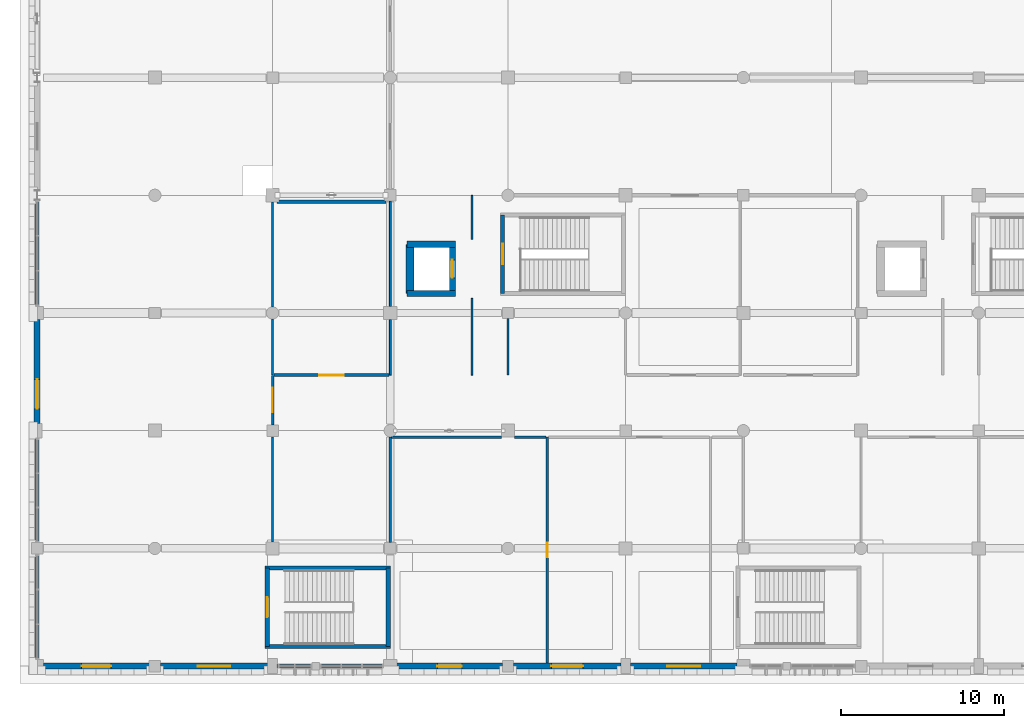
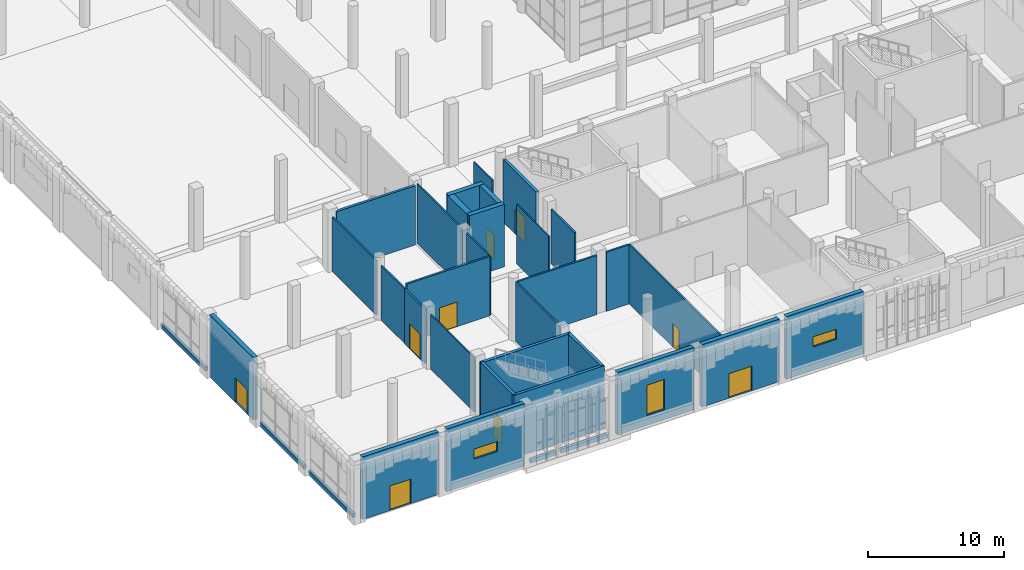
# One storey, part 54 of 85: 35 walls, 9 doors, 3 windows, 12 openings.
"""IFC4 building model written with IfcOpenShell, lengths in metres."""

from ifc_helpers import new_model, si_unit, direction, frame, frame_2d, origin, place, context, subcontext, project, spatial, rectangle, extrude, material, layer, layer_set, type_object, element, fill, save


model = new_model("IFC4")

# Units and contexts
model_context = context("Model", 3, precision=1e-05, world=origin(), true_north=direction((0.0, 1.0)))
body_context = subcontext(model_context, "Body", "Model", "MODEL_VIEW")
ifc_project = project(units=[si_unit("LENGTHUNIT", "METRE"), si_unit("AREAUNIT", "SQUARE_METRE"), si_unit("VOLUMEUNIT", "CUBIC_METRE"), si_unit("PLANEANGLEUNIT", "RADIAN"), si_unit("MASSUNIT", "GRAM", prefix="KILO")], contexts=[model_context])

# Site, building, storey
site_placement = place(None, origin())
site = spatial("IfcSite", under=ifc_project, at=site_placement, CompositionType="ELEMENT")
building_placement = place(site_placement, origin())
building = spatial("IfcBuilding", under=site, at=building_placement, Name="Sardonyx Promenade Sports Hall", CompositionType="ELEMENT")
storey_placement = place(building_placement, origin())
storey = spatial("IfcBuildingStorey", under=building, at=storey_placement, Name="L00", CompositionType="ELEMENT", Elevation=0.0)

# Wall, opening, door
ifc_material_1 = material(Name="Concrete C40/50", Category="concrete")
ifc_layer_1 = layer(ifc_material_1, 0.3798828125)
ifc_layer_set_1 = layer_set([ifc_layer_1], Name="Wall_Core_Shear_380")
wall_type_1 = type_object("IfcWallType", Name="Wall_Core_Shear_380", PredefinedType="SHEAR", material=ifc_layer_set_1)
wall_1_placement = place(storey_placement, frame((25.39990234375, 22.800048828125, 0.0), z_axis=(0.0, 0.0, 1.0), x_axis=(0.0, 1.0, 0.0)))
wall_1 = element("IfcWall", 1, at=wall_1_placement, inside=storey, type_object=wall_type_1, Name="Lift shaft wall LF1 L00 E", PredefinedType="SHEAR", context=body_context, shape_type="SweptSolid", body=[
    extrude(rectangle(XDim=3.0, YDim=0.3798828125, at=frame_2d((1.5, 0.0))), origin(), (0.0, 0.0, 1.0), 5.60009765625),
])
opening_1_placement = place(wall_1_placement, frame((0.949951171875, 0.0, 0.0)))
opening_1 = element("IfcOpeningElement", 2, at=opening_1_placement, cuts=wall_1, Name="Opening LD01", PredefinedType="OPENING", context=body_context, shape_type="SweptSolid", body=[
    extrude(rectangle(XDim=1.10009765625, YDim=2.199951171875, at=frame_2d((0.550048828125, 1.10009765625))), frame((0.0, 0.2, 0.0), z_axis=(0.0, -1.0, 0.0), x_axis=(1.0, 0.0, 0.0)), (0.0, 0.0, 1.0), 0.4),
])
ifc_material_2 = material(Name="Fire-rated stainless steel sliding lift door", Category="steel")
door_type_1 = type_object("IfcDoorType", Name="Door_Lift_Pass_110x220", OperationType="NOTDEFINED", PredefinedType="DOOR", material=ifc_material_2)
door_1_placement = place(opening_1_placement, origin())
door_1 = element("IfcDoor", 3, at=door_1_placement, inside=storey, type_object=door_type_1, Name="Lift landing sliding door LD-LF1-L00", OperationType="SLIDING_TO_LEFT", OverallHeight=2.199951171875, OverallWidth=1.10009765625, PredefinedType="DOOR", context=body_context, shape_type="SweptSolid", body=[
    extrude(rectangle(XDim=1.10009765625, YDim=2.199951171875, at=frame_2d((0.550048828125, 1.10009765625))), frame((0.0, 0.02490234375, 0.0), z_axis=(0.0, -1.0, 0.0), x_axis=(1.0, 0.0, 0.0)), (0.0, 0.0, 1.0), 0.050048828125),
])
fill(opening_1, door_1)

# Walls
for number, where, z_axis, x_axis, name in (
    (4, (22.610107421875, 25.800048828125, 0.0), (0.0, 0.0, 1.0), (1.0, 0.0, 0.0), "Lift shaft wall LF1 L00 N"),
    (5, (25.590087890625, 22.800048828125, 0.0), (0.0, 0.0, 1.0), (-1.0, 0.0, 0.0), "Lift shaft wall LF1 L00 S"),
):
    element("IfcWall", number, at=place(storey_placement, frame(where, z_axis=z_axis, x_axis=x_axis)), inside=storey, type_object=wall_type_1, Name=name, PredefinedType="SHEAR", context=body_context, shape_type="SweptSolid", body=[
        extrude(rectangle(XDim=2.97998046875, YDim=0.3798828125, at=frame_2d((1.489990234375, 0.0))), origin(), (0.0, 0.0, 1.0), 5.60009765625),
    ])
ifc_material_3 = material(Name="Concrete C50/60", Category="concrete")
ifc_layer_2 = layer(ifc_material_3, 0.5)
ifc_layer_set_2 = layer_set([ifc_layer_2], Name="Wall_Core_Shear_500")
wall_type_2 = type_object("IfcWallType", Name="Wall_Core_Shear_500", PredefinedType="SHEAR", material=ifc_layer_set_2)
wall_2_placement = place(storey_placement, frame((22.800048828125, 25.800048828125, 0.0), z_axis=(0.0, 0.0, 1.0), x_axis=(0.0, -1.0, 0.0)))
element("IfcWall", 6, at=wall_2_placement, inside=storey, type_object=wall_type_2, Name="Lift shaft wall LF1 L00 W", PredefinedType="SHEAR", context=body_context, shape_type="SweptSolid", body=[
    extrude(rectangle(XDim=3.0, YDim=0.5, at=frame_2d((1.5, 0.0))), origin(), (0.0, 0.0, 1.0), 5.60009765625),
])

# Wall, opening, window
ifc_material_4 = material(Name="Concrete C40/50", Category="concrete")
ifc_layer_3 = layer(ifc_material_4, 0.360107421875)
ifc_layer_set_3 = layer_set([ifc_layer_3], Name="Wall_Ext_Sandstone_360")
wall_type_3 = type_object("IfcWallType", Name="Wall_Ext_Sandstone_360", PredefinedType="SOLIDWALL", material=ifc_layer_set_3)
wall_3_placement = place(storey_placement, frame((42.81494140625, 0.0, 0.0), z_axis=(0.0, 0.0, 1.0), x_axis=(-1.0, 0.0, 0.0)))
wall_3 = element("IfcWall", 7, at=wall_3_placement, inside=storey, type_object=wall_type_3, Name="Exterior wall EW06 L00 #24", PredefinedType="SOLIDWALL", context=body_context, shape_type="SweptSolid", body=[
    extrude(rectangle(XDim=6.530029296875, YDim=0.360107421875, at=frame_2d((3.26513671875, 0.0))), origin(), (0.0, 0.0, 1.0), 5.60009765625),
])
opening_2_placement = place(wall_3_placement, frame((2.264892578125, 0.0, 2.10009765625)))
opening_2 = element("IfcOpeningElement", 8, at=opening_2_placement, cuts=wall_3, Name="Opening W06", PredefinedType="OPENING", context=body_context, shape_type="SweptSolid", body=[
    extrude(rectangle(XDim=2.0, YDim=0.89990234375, at=frame_2d((1.0, 0.449951171875))), frame((0.0, 0.19, 0.0), z_axis=(0.0, -1.0, 0.0), x_axis=(1.0, 0.0, 0.0)), (0.0, 0.0, 1.0), 0.38),
])
ifc_material_5 = material(Name="Double-glazed solar low-E aluminium window", Category="aluminium")
window_type_1 = type_object("IfcWindowType", Name="Win_Changing_Hi_200x090", PartitioningType="DOUBLE_PANEL_VERTICAL", PredefinedType="WINDOW", material=ifc_material_5)
window_1_placement = place(opening_2_placement, origin())
window_1 = element("IfcWindow", 9, at=window_1_placement, inside=storey, type_object=window_type_1, Name="Facade window W06 L00 #6", OverallHeight=0.89990234375, OverallWidth=2.0, PartitioningType="SINGLE_PANEL", PredefinedType="WINDOW", context=body_context, shape_type="SweptSolid", body=[
    extrude(rectangle(XDim=2.0, YDim=0.89990234375, at=frame_2d((1.0, 0.449951171875))), frame((0.0, 0.030029296875, 0.0), z_axis=(0.0, -1.0, 0.0), x_axis=(1.0, 0.0, 0.0)), (0.0, 0.0, 1.0), 0.06005859375),
])
fill(opening_2, window_1)

# Wall, opening, door
wall_4_placement = place(storey_placement, frame((35.715087890625, 0.0, 0.0), z_axis=(0.0, 0.0, 1.0), x_axis=(-1.0, 0.0, 0.0)))
wall_4 = element("IfcWall", 10, at=wall_4_placement, inside=storey, type_object=wall_type_3, Name="Exterior wall EW06 L00 #25", PredefinedType="SOLIDWALL", context=body_context, shape_type="SweptSolid", body=[
    extrude(rectangle(XDim=6.580078125, YDim=0.360107421875, at=frame_2d((3.2900390625, 0.0))), origin(), (0.0, 0.0, 1.0), 5.60009765625),
])
opening_3_placement = place(wall_4_placement, frame((2.31494140625, 0.0, 0.0)))
opening_3 = element("IfcOpeningElement", 11, at=opening_3_placement, cuts=wall_4, Name="Opening ED03", PredefinedType="OPENING", context=body_context, shape_type="SweptSolid", body=[
    extrude(rectangle(XDim=1.949951171875, YDim=2.199951171875, at=frame_2d((0.97509765625, 1.10009765625))), frame((0.0, 0.19, 0.0), z_axis=(0.0, -1.0, 0.0), x_axis=(1.0, 0.0, 0.0)), (0.0, 0.0, 1.0), 0.38),
])
ifc_material_6 = material(Name="Thermally broken anodised aluminium glazed door", Category="aluminium")
door_type_2 = type_object("IfcDoorType", Name="Door_Ext_Escape_195x220", OperationType="NOTDEFINED", PredefinedType="DOOR", material=ifc_material_6)
door_2_placement = place(opening_3_placement, origin())
door_2 = element("IfcDoor", 12, at=door_2_placement, inside=storey, type_object=door_type_2, Name="Exterior exit door E07", OperationType="DOUBLE_DOOR_SINGLE_SWING", OverallHeight=2.199951171875, OverallWidth=1.949951171875, PredefinedType="DOOR", context=body_context, shape_type="SweptSolid", body=[
    extrude(rectangle(XDim=1.949951171875, YDim=2.199951171875, at=frame_2d((0.97509765625, 1.10009765625))), frame((0.0, 0.02490234375, 0.0), z_axis=(0.0, -1.0, 0.0), x_axis=(1.0, 0.0, 0.0)), (0.0, 0.0, 1.0), 0.050048828125),
])
fill(opening_3, door_2)

# Wall, opening, window
wall_5_placement = place(storey_placement, frame((28.465087890625, 0.0, 0.0), z_axis=(0.0, 0.0, 1.0), x_axis=(-1.0, 0.0, 0.0)))
wall_5 = element("IfcWall", 13, at=wall_5_placement, inside=storey, type_object=wall_type_3, Name="Exterior wall EW06 L00 #26", PredefinedType="SOLIDWALL", context=body_context, shape_type="SweptSolid", body=[
    extrude(rectangle(XDim=6.47998046875, YDim=0.360107421875, at=frame_2d((3.239990234375, 0.0))), origin(), (0.0, 0.0, 1.0), 5.60009765625),
])
opening_4_placement = place(wall_5_placement, frame((2.489990234375, 0.0, 0.89990234375)))
opening_4 = element("IfcOpeningElement", 14, at=opening_4_placement, cuts=wall_5, Name="Opening W07", PredefinedType="OPENING", context=body_context, shape_type="SweptSolid", body=[
    extrude(rectangle(XDim=1.5, YDim=2.699951171875, at=frame_2d((0.75, 1.35009765625))), frame((0.0, 0.19, 0.0), z_axis=(0.0, -1.0, 0.0), x_axis=(1.0, 0.0, 0.0)), (0.0, 0.0, 1.0), 0.38),
])
ifc_material_7 = material(Name="Double-glazed solar low-E aluminium window", Category="aluminium")
window_type_2 = type_object("IfcWindowType", Name="Win_Sandstone_TallA", PartitioningType="SINGLE_PANEL", PredefinedType="WINDOW", material=ifc_material_7)
window_2_placement = place(opening_4_placement, origin())
window_2 = element("IfcWindow", 15, at=window_2_placement, inside=storey, type_object=window_type_2, Name="Facade window W07 L00 #7", OverallHeight=2.699951171875, OverallWidth=1.5, PartitioningType="SINGLE_PANEL", PredefinedType="WINDOW", context=body_context, shape_type="SweptSolid", body=[
    extrude(rectangle(XDim=1.5, YDim=2.699951171875, at=frame_2d((0.75, 1.35009765625))), frame((0.0, 0.030029296875, 0.0), z_axis=(0.0, -1.0, 0.0), x_axis=(1.0, 0.0, 0.0)), (0.0, 0.0, 1.0), 0.06005859375),
])
fill(opening_4, window_2)

wall_6_placement = place(storey_placement, frame((14.114990234375, 0.0, 0.0), z_axis=(0.0, 0.0, 1.0), x_axis=(-1.0, 0.0, 0.0)))
wall_6 = element("IfcWall", 16, at=wall_6_placement, inside=storey, type_object=wall_type_3, Name="Exterior wall EW06 L00 #29", PredefinedType="SOLIDWALL", context=body_context, shape_type="SweptSolid", body=[
    extrude(rectangle(XDim=6.580078125, YDim=0.360107421875, at=frame_2d((3.2900390625, 0.0))), origin(), (0.0, 0.0, 1.0), 5.60009765625),
])
opening_5_placement = place(wall_6_placement, frame((2.2900390625, 0.0, 2.10009765625)))
opening_5 = element("IfcOpeningElement", 17, at=opening_5_placement, cuts=wall_6, Name="Opening W06", PredefinedType="OPENING", context=body_context, shape_type="SweptSolid", body=[
    extrude(rectangle(XDim=2.0, YDim=0.89990234375, at=frame_2d((1.0, 0.449951171875))), frame((0.0, 0.19, 0.0), z_axis=(0.0, -1.0, 0.0), x_axis=(1.0, 0.0, 0.0)), (0.0, 0.0, 1.0), 0.38),
])
window_3_placement = place(opening_5_placement, origin())
window_3 = element("IfcWindow", 18, at=window_3_placement, inside=storey, type_object=window_type_1, Name="Facade window W06 L00 #8", OverallHeight=0.89990234375, OverallWidth=2.0, PartitioningType="SINGLE_PANEL", PredefinedType="WINDOW", context=body_context, shape_type="SweptSolid", body=[
    extrude(rectangle(XDim=2.0, YDim=0.89990234375, at=frame_2d((1.0, 0.449951171875))), frame((0.0, 0.030029296875, 0.0), z_axis=(0.0, -1.0, 0.0), x_axis=(1.0, 0.0, 0.0)), (0.0, 0.0, 1.0), 0.06005859375),
])
fill(opening_5, window_3)

# Wall, opening, door
wall_7_placement = place(storey_placement, frame((6.864990234375, 0.0, 0.0), z_axis=(0.0, 0.0, 1.0), x_axis=(-1.0, 0.0, 0.0)))
wall_7 = element("IfcWall", 19, at=wall_7_placement, inside=storey, type_object=wall_type_3, Name="Exterior wall EW06 L00 #30", PredefinedType="SOLIDWALL", context=body_context, shape_type="SweptSolid", body=[
    extrude(rectangle(XDim=6.47998046875, YDim=0.360107421875, at=frame_2d((3.239990234375, 0.0))), origin(), (0.0, 0.0, 1.0), 5.60009765625),
])
opening_6_placement = place(wall_7_placement, frame((2.340087890625, 0.0, 0.0)))
opening_6 = element("IfcOpeningElement", 20, at=opening_6_placement, cuts=wall_7, Name="Opening ED04", PredefinedType="OPENING", context=body_context, shape_type="SweptSolid", body=[
    extrude(rectangle(XDim=1.800048828125, YDim=2.199951171875, at=frame_2d((0.89990234375, 1.10009765625))), frame((0.0, 0.19, 0.0), z_axis=(0.0, -1.0, 0.0), x_axis=(1.0, 0.0, 0.0)), (0.0, 0.0, 1.0), 0.38),
])
ifc_material_8 = material(Name="Thermally broken anodised aluminium glazed door", Category="aluminium")
door_type_3 = type_object("IfcDoorType", Name="Door_Ext_Escape_180x220", OperationType="NOTDEFINED", PredefinedType="DOOR", material=ifc_material_8)
door_3_placement = place(opening_6_placement, origin())
door_3 = element("IfcDoor", 21, at=door_3_placement, inside=storey, type_object=door_type_3, Name="Exterior exit door E08", OperationType="DOUBLE_DOOR_SINGLE_SWING", OverallHeight=2.199951171875, OverallWidth=1.800048828125, PredefinedType="DOOR", context=body_context, shape_type="SweptSolid", body=[
    extrude(rectangle(XDim=1.800048828125, YDim=2.199951171875, at=frame_2d((0.89990234375, 1.10009765625))), frame((0.0, 0.02490234375, 0.0), z_axis=(0.0, -1.0, 0.0), x_axis=(1.0, 0.0, 0.0)), (0.0, 0.0, 1.0), 0.050048828125),
])
fill(opening_6, door_3)

wall_8_placement = place(storey_placement, frame((0.0, 14.8349609375, 0.0), z_axis=(0.0, 0.0, 1.0), x_axis=(0.0, 1.0, 0.0)))
wall_8 = element("IfcWall", 22, at=wall_8_placement, inside=storey, type_object=wall_type_3, Name="Exterior wall EW06 L00 #130", PredefinedType="SOLIDWALL", context=body_context, shape_type="SweptSolid", body=[
    extrude(rectangle(XDim=6.380126953125, YDim=0.360107421875, at=frame_2d((3.18994140625, 0.0))), origin(), (0.0, 0.0, 1.0), 5.60009765625),
])
opening_7_placement = place(wall_8_placement, frame((0.89990234375, 0.0, 0.0)))
opening_7 = element("IfcOpeningElement", 23, at=opening_7_placement, cuts=wall_8, Name="Opening ED04", PredefinedType="OPENING", context=body_context, shape_type="SweptSolid", body=[
    extrude(rectangle(XDim=1.800048828125, YDim=2.199951171875, at=frame_2d((0.89990234375, 1.10009765625))), frame((0.0, 0.19, 0.0), z_axis=(0.0, -1.0, 0.0), x_axis=(1.0, 0.0, 0.0)), (0.0, 0.0, 1.0), 0.38),
])
door_4_placement = place(opening_7_placement, origin())
door_4 = element("IfcDoor", 24, at=door_4_placement, inside=storey, type_object=door_type_3, Name="Exterior exit door E11", OperationType="DOUBLE_DOOR_SINGLE_SWING", OverallHeight=2.199951171875, OverallWidth=1.800048828125, PredefinedType="DOOR", context=body_context, shape_type="SweptSolid", body=[
    extrude(rectangle(XDim=1.800048828125, YDim=2.199951171875, at=frame_2d((0.89990234375, 1.10009765625))), frame((0.0, 0.02490234375, 0.0), z_axis=(0.0, -1.0, 0.0), x_axis=(1.0, 0.0, 0.0)), (0.0, 0.0, 1.0), 0.050048828125),
])
fill(opening_7, door_4)

# Walls
ifc_material_9 = material(Name="Masonry CMU 15 MPa", Category="masonry")
ifc_layer_4 = layer(ifc_material_9, 0.239990234375)
ifc_layer_set_4 = layer_set([ifc_layer_4], Name="Wall_Ext_Spandrel_240")
wall_type_4 = type_object("IfcWallType", Name="Wall_Ext_Spandrel_240", PredefinedType="SOLIDWALL", material=ifc_layer_set_4)
wall_9_placement = place(storey_placement, frame((21.215087890625, 0.0, 0.0), z_axis=(0.0, 0.0, 1.0), x_axis=(-1.0, 0.0, 0.0)))
element("IfcWall", 25, at=wall_9_placement, inside=storey, type_object=wall_type_4, Name="Curtain-wall sill spandrel L00 #27", PredefinedType="SOLIDWALL", context=body_context, shape_type="SweptSolid", body=[
    extrude(rectangle(XDim=3.955078125, YDim=0.239990234375, at=frame_2d((1.9775390625, 0.0))), origin(), (0.0, 0.0, 1.0), 0.35009765625),
])
wall_10_placement = place(storey_placement, frame((16.840087890625, 0.0, 0.0), z_axis=(0.0, 0.0, 1.0), x_axis=(-1.0, 0.0, 0.0)))
element("IfcWall", 26, at=wall_10_placement, inside=storey, type_object=wall_type_4, Name="Curtain-wall sill spandrel L00 #28", PredefinedType="SOLIDWALL", context=body_context, shape_type="SweptSolid", body=[
    extrude(rectangle(XDim=2.155029296875, YDim=0.239990234375, at=frame_2d((1.07763671875, 0.0))), origin(), (0.0, 0.0, 1.0), 0.35009765625),
])
wall_11_placement = place(storey_placement, frame((0.0, 0.385009765625, 0.0), z_axis=(0.0, 0.0, 1.0), x_axis=(0.0, 1.0, 0.0)))
element("IfcWall", 27, at=wall_11_placement, inside=storey, type_object=wall_type_4, Name="Curtain-wall sill spandrel L00 #128", PredefinedType="SOLIDWALL", context=body_context, shape_type="SweptSolid", body=[
    extrude(rectangle(XDim=6.47998046875, YDim=0.239990234375, at=frame_2d((3.239990234375, 0.0))), origin(), (0.0, 0.0, 1.0), 0.35009765625),
])
wall_12_placement = place(storey_placement, frame((0.0, 7.534912109375, 0.0), z_axis=(0.0, 0.0, 1.0), x_axis=(0.0, 1.0, 0.0)))
element("IfcWall", 28, at=wall_12_placement, inside=storey, type_object=wall_type_4, Name="Curtain-wall sill spandrel L00 #129", PredefinedType="SOLIDWALL", context=body_context, shape_type="SweptSolid", body=[
    extrude(rectangle(XDim=6.43017578125, YDim=0.239990234375, at=frame_2d((3.215087890625, 0.0))), origin(), (0.0, 0.0, 1.0), 0.35009765625),
])
wall_13_placement = place(storey_placement, frame((0.0, 21.985107421875, 0.0), z_axis=(0.0, 0.0, 1.0), x_axis=(0.0, 1.0, 0.0)))
element("IfcWall", 29, at=wall_13_placement, inside=storey, type_object=wall_type_4, Name="Curtain-wall sill spandrel L00 #131", PredefinedType="SOLIDWALL", context=body_context, shape_type="SweptSolid", body=[
    extrude(rectangle(XDim=6.534912109375, YDim=0.239990234375, at=frame_2d((3.267578125, 0.0))), origin(), (0.0, 0.0, 1.0), 0.35009765625),
])

# Wall, opening, door
ifc_material_10 = material(Name="Twin-stud acoustic gypsum partition", Category="gypsum")
ifc_layer_5 = layer(ifc_material_10, 0.169921875)
ifc_layer_set_5 = layer_set([ifc_layer_5], Name="Wall_Part_Acoust_170")
wall_type_5 = type_object("IfcWallType", Name="Wall_Part_Acoust_170", PredefinedType="PARTITIONING", material=ifc_layer_set_5)
wall_14_placement = place(storey_placement, frame((14.485107421875, 17.800048828125, 0.0), z_axis=(0.0, 0.0, 1.0), x_axis=(1.0, 0.0, 0.0)))
wall_14 = element("IfcWall", 30, at=wall_14_placement, inside=storey, type_object=wall_type_5, Name="Interior partition PW06 L00 #139", PredefinedType="PARTITIONING", context=body_context, shape_type="SweptSolid", body=[
    extrude(rectangle(XDim=7.044921875, YDim=0.169921875, at=frame_2d((3.5224609375, 0.0))), origin(), (0.0, 0.0, 1.0), 5.300048828125),
])
opening_8_placement = place(wall_14_placement, frame((2.7724609375, 0.0, 0.0)))
opening_8 = element("IfcOpeningElement", 31, at=opening_8_placement, cuts=wall_14, Name="Opening ID10", PredefinedType="OPENING", context=body_context, shape_type="SweptSolid", body=[
    extrude(rectangle(XDim=1.5, YDim=2.199951171875, at=frame_2d((0.75, 1.10009765625))), frame((0.0, 0.095, 0.0), z_axis=(0.0, -1.0, 0.0), x_axis=(1.0, 0.0, 0.0)), (0.0, 0.0, 1.0), 0.19),
])
ifc_material_11 = material(Name="Double studio entrance fire door FD30S", Category="wood")
door_type_4 = type_object("IfcDoorType", Name="Door_Corr_FD30_150x220", OperationType="NOTDEFINED", PredefinedType="DOOR", material=ifc_material_11)
door_5_placement = place(opening_8_placement, origin())
door_5 = element("IfcDoor", 32, at=door_5_placement, inside=storey, type_object=door_type_4, Name="Interior door D00-038", OperationType="DOUBLE_DOOR_SINGLE_SWING", OverallHeight=2.199951171875, OverallWidth=1.5, PredefinedType="DOOR", context=body_context, shape_type="SweptSolid", body=[
    extrude(rectangle(XDim=1.5, YDim=2.199951171875, at=frame_2d((0.75, 1.10009765625))), frame((0.0, 0.02490234375, 0.0), z_axis=(0.0, -1.0, 0.0), x_axis=(1.0, 0.0, 0.0)), (0.0, 0.0, 1.0), 0.050048828125),
])
fill(opening_8, door_5)

# Walls
ifc_material_12 = material(Name="Masonry CMU 15 MPa", Category="masonry")
ifc_layer_6 = layer(ifc_material_12, 0.2099609375)
ifc_layer_set_6 = layer_set([ifc_layer_6], Name="Wall_Part_Block_210")
wall_type_6 = type_object("IfcWallType", Name="Wall_Part_Block_210", PredefinedType="PARTITIONING", material=ifc_layer_set_6)
wall_15_placement = place(storey_placement, frame((14.659912109375, 28.39990234375, 0.0), z_axis=(0.0, 0.0, 1.0), x_axis=(1.0, 0.0, 0.0)))
element("IfcWall", 33, at=wall_15_placement, inside=storey, type_object=wall_type_6, Name="Interior partition PW07 L00 #110", PredefinedType="PARTITIONING", context=body_context, shape_type="SweptSolid", body=[
    extrude(rectangle(XDim=6.68017578125, YDim=0.2099609375, at=frame_2d((3.340087890625, 0.0))), origin(), (0.0, 0.0, 1.0), 5.300048828125),
])
ifc_material_13 = material(Name="Hygienic clinical stud partition", Category="gypsum")
ifc_layer_7 = layer(ifc_material_13, 0.1201171875)
ifc_layer_set_7 = layer_set([ifc_layer_7], Name="Wall_Part_Clinic_120")
wall_type_7 = type_object("IfcWallType", Name="Wall_Part_Clinic_120", PredefinedType="PARTITIONING", material=ifc_layer_set_7)
wall_16_placement = place(storey_placement, frame((21.60009765625, 17.800048828125, 0.0), z_axis=(0.0, 0.0, 1.0), x_axis=(0.0, 1.0, 0.0)))
element("IfcWall", 34, at=wall_16_placement, inside=storey, type_object=wall_type_7, Name="Interior partition PW02 L00 #81", PredefinedType="PARTITIONING", context=body_context, shape_type="SweptSolid", body=[
    extrude(rectangle(XDim=3.39990234375, YDim=0.1201171875, at=frame_2d((1.699951171875, 0.0))), origin(), (0.0, 0.0, 1.0), 5.300048828125),
])
wall_17_placement = place(storey_placement, frame((21.60009765625, 22.0, 0.0), z_axis=(0.0, 0.0, 1.0), x_axis=(0.0, 1.0, 0.0)))
element("IfcWall", 35, at=wall_17_placement, inside=storey, type_object=wall_type_7, Name="Interior partition PW02 L00 #82", PredefinedType="PARTITIONING", context=body_context, shape_type="SweptSolid", body=[
    extrude(rectangle(XDim=6.449951171875, YDim=0.1201171875, at=frame_2d((3.22509765625, 0.0))), origin(), (0.0, 0.0, 1.0), 5.300048828125),
])

# Wall, opening, door
ifc_material_14 = material(Name="Fire-rated stud gypsum partition", Category="gypsum")
ifc_layer_8 = layer(ifc_material_14, 0.14990234375)
ifc_layer_set_8 = layer_set([ifc_layer_8], Name="Wall_Part_Corridor_150")
wall_type_8 = type_object("IfcWallType", Name="Wall_Part_Corridor_150", PredefinedType="PARTITIONING", material=ifc_layer_set_8)
wall_18_placement = place(storey_placement, frame((14.39990234375, 14.75, 0.0), z_axis=(0.0, 0.0, 1.0), x_axis=(0.0, 1.0, 0.0)))
wall_18 = element("IfcWall", 36, at=wall_18_placement, inside=storey, type_object=wall_type_8, Name="Interior partition PW04 L00 #108", PredefinedType="PARTITIONING", context=body_context, shape_type="SweptSolid", body=[
    extrude(rectangle(XDim=3.0400390625, YDim=0.14990234375, at=frame_2d((1.52001953125, 0.0))), origin(), (0.0, 0.0, 1.0), 4.8798828125),
])
opening_9_placement = place(wall_18_placement, frame((0.77001953125, 0.0, 0.0)))
opening_9 = element("IfcOpeningElement", 37, at=opening_9_placement, cuts=wall_18, Name="Opening ID10", PredefinedType="OPENING", context=body_context, shape_type="SweptSolid", body=[
    extrude(rectangle(XDim=1.5, YDim=2.199951171875, at=frame_2d((0.75, 1.10009765625))), frame((0.0, 0.085, 0.0), z_axis=(0.0, -1.0, 0.0), x_axis=(1.0, 0.0, 0.0)), (0.0, 0.0, 1.0), 0.17),
])
door_6_placement = place(opening_9_placement, origin())
door_6 = element("IfcDoor", 38, at=door_6_placement, inside=storey, type_object=door_type_4, Name="Interior door D00-021", OperationType="DOUBLE_DOOR_SINGLE_SWING", OverallHeight=2.199951171875, OverallWidth=1.5, PredefinedType="DOOR", context=body_context, shape_type="SweptSolid", body=[
    extrude(rectangle(XDim=1.5, YDim=2.199951171875, at=frame_2d((0.75, 1.10009765625))), frame((0.0, 0.02490234375, 0.0), z_axis=(0.0, -1.0, 0.0), x_axis=(1.0, 0.0, 0.0)), (0.0, 0.0, 1.0), 0.050048828125),
])
fill(opening_9, door_6)

# Walls
wall_19_placement = place(storey_placement, frame((21.679931640625, 14.0, 0.0), z_axis=(0.0, 0.0, 1.0), x_axis=(1.0, 0.0, 0.0)))
element("IfcWall", 39, at=wall_19_placement, inside=storey, type_object=wall_type_8, Name="Interior partition PW04 L00 #123", PredefinedType="PARTITIONING", context=body_context, shape_type="SweptSolid", body=[
    extrude(rectangle(XDim=6.719970703125, YDim=0.14990234375, at=frame_2d((3.35986328125, 0.0))), origin(), (0.0, 0.0, 1.0), 5.300048828125),
])
wall_20_placement = place(storey_placement, frame((29.199951171875, 14.0, 0.0), z_axis=(0.0, 0.0, 1.0), x_axis=(1.0, 0.0, 0.0)))
element("IfcWall", 40, at=wall_20_placement, inside=storey, type_object=wall_type_8, Name="Interior partition PW04 L00 #124", PredefinedType="PARTITIONING", context=body_context, shape_type="SweptSolid", body=[
    extrude(rectangle(XDim=1.920166015625, YDim=0.14990234375, at=frame_2d((0.9599609375, 0.0))), origin(), (0.0, 0.0, 1.0), 5.300048828125),
])
ifc_material_15 = material(Name="Lightweight steel-stud partition", Category="steel")
ifc_layer_9 = layer(ifc_material_15, 0.10009765625)
ifc_layer_set_9 = layer_set([ifc_layer_9], Name="Wall_Part_Light_100")
wall_type_9 = type_object("IfcWallType", Name="Wall_Part_Light_100", PredefinedType="PARTITIONING", material=ifc_layer_set_9)
wall_21_placement = place(storey_placement, frame((14.39990234375, 7.60009765625, 0.0), z_axis=(0.0, 0.0, 1.0), x_axis=(0.0, 1.0, 0.0)))
element("IfcWall", 41, at=wall_21_placement, inside=storey, type_object=wall_type_9, Name="Interior partition PW01 L00 #52", PredefinedType="PARTITIONING", context=body_context, shape_type="SweptSolid", body=[
    extrude(rectangle(XDim=6.39990234375, YDim=0.10009765625, at=frame_2d((3.199951171875, 0.0))), origin(), (0.0, 0.0, 1.0), 4.8798828125),
])
wall_22_placement = place(storey_placement, frame((26.60009765625, 17.800048828125, 0.0), z_axis=(0.0, 0.0, 1.0), x_axis=(0.0, 1.0, 0.0)))
element("IfcWall", 42, at=wall_22_placement, inside=storey, type_object=wall_type_9, Name="Interior partition PW01 L00 #83", PredefinedType="PARTITIONING", context=body_context, shape_type="SweptSolid", body=[
    extrude(rectangle(XDim=4.699951171875, YDim=0.10009765625, at=frame_2d((2.35009765625, 0.0))), origin(), (0.0, 0.0, 1.0), 5.300048828125),
])
wall_23_placement = place(storey_placement, frame((26.60009765625, 26.10009765625, 0.0), z_axis=(0.0, 0.0, 1.0), x_axis=(0.0, 1.0, 0.0)))
element("IfcWall", 43, at=wall_23_placement, inside=storey, type_object=wall_type_9, Name="Interior partition PW01 L00 #84", PredefinedType="PARTITIONING", context=body_context, shape_type="SweptSolid", body=[
    extrude(rectangle(XDim=2.699951171875, YDim=0.10009765625, at=frame_2d((1.35009765625, 0.0))), origin(), (0.0, 0.0, 1.0), 5.300048828125),
])
ifc_material_16 = material(Name="Acoustic sports stud partition", Category="gypsum")
ifc_layer_10 = layer(ifc_material_16, 0.1298828125)
ifc_layer_set_10 = layer_set([ifc_layer_10], Name="Wall_Part_Studio_130")
wall_type_10 = type_object("IfcWallType", Name="Wall_Part_Studio_130", PredefinedType="PARTITIONING", material=ifc_layer_set_10)
wall_24_placement = place(storey_placement, frame((14.39990234375, 17.800048828125, 0.0), z_axis=(0.0, 0.0, 1.0), x_axis=(0.0, 1.0, 0.0)))
element("IfcWall", 44, at=wall_24_placement, inside=storey, type_object=wall_type_10, Name="Interior partition PW05 L00 #79", PredefinedType="PARTITIONING", context=body_context, shape_type="SweptSolid", body=[
    extrude(rectangle(XDim=3.425048828125, YDim=0.1298828125, at=frame_2d((1.71240234375, 0.0))), origin(), (0.0, 0.0, 1.0), 4.8798828125),
])
wall_25_placement = place(storey_placement, frame((14.39990234375, 21.97509765625, 0.0), z_axis=(0.0, 0.0, 1.0), x_axis=(0.0, 1.0, 0.0)))
element("IfcWall", 45, at=wall_25_placement, inside=storey, type_object=wall_type_10, Name="Interior partition PW05 L00 #80", PredefinedType="PARTITIONING", context=body_context, shape_type="SweptSolid", body=[
    extrude(rectangle(XDim=6.4248046875, YDim=0.1298828125, at=frame_2d((3.21240234375, 0.0))), origin(), (0.0, 0.0, 1.0), 4.8798828125),
])
ifc_material_17 = material(Name="Moisture-resistant masonry partition", Category="masonry")
ifc_layer_11 = layer(ifc_material_17, 0.139892578125)
ifc_layer_set_11 = layer_set([ifc_layer_11], Name="Wall_Part_Wet_140")
wall_type_11 = type_object("IfcWallType", Name="Wall_Part_Wet_140", PredefinedType="PARTITIONING", material=ifc_layer_set_11)
wall_26_placement = place(storey_placement, frame((21.60009765625, 7.550048828125, 0.0), z_axis=(0.0, 0.0, 1.0), x_axis=(0.0, 1.0, 0.0)))
element("IfcWall", 46, at=wall_26_placement, inside=storey, type_object=wall_type_11, Name="Interior partition PW08 L00 #53", PredefinedType="PARTITIONING", context=body_context, shape_type="SweptSolid", body=[
    extrude(rectangle(XDim=6.449951171875, YDim=0.139892578125, at=frame_2d((3.22509765625, 0.0))), origin(), (0.0, 0.0, 1.0), 5.300048828125),
])

# Wall, opening, door
wall_27_placement = place(storey_placement, frame((31.199951171875, 0.18994140625, 0.0), z_axis=(0.0, 0.0, 1.0), x_axis=(0.0, 1.0, 0.0)))
wall_27 = element("IfcWall", 47, at=wall_27_placement, inside=storey, type_object=wall_type_11, Name="Interior partition PW08 L00 #76", PredefinedType="PARTITIONING", context=body_context, shape_type="SweptSolid", body=[
    extrude(rectangle(XDim=13.81005859375, YDim=0.139892578125, at=frame_2d((6.905029296875, 0.0))), origin(), (0.0, 0.0, 1.0), 5.300048828125),
])
opening_10_placement = place(wall_27_placement, frame((6.455078125, 0.0, 0.0)))
opening_10 = element("IfcOpeningElement", 48, at=opening_10_placement, cuts=wall_27, Name="Opening ID11", PredefinedType="OPENING", context=body_context, shape_type="SweptSolid", body=[
    extrude(rectangle(XDim=0.89990234375, YDim=2.10009765625, at=frame_2d((0.449951171875, 1.050048828125))), frame((0.0, 0.08, 0.0), z_axis=(0.0, -1.0, 0.0), x_axis=(1.0, 0.0, 0.0)), (0.0, 0.0, 1.0), 0.16),
])
ifc_material_18 = material(Name="Painted timber internal leaf door", Category="wood")
door_type_5 = type_object("IfcDoorType", Name="Door_Suite_090x210", OperationType="NOTDEFINED", PredefinedType="DOOR", material=ifc_material_18)
door_7_placement = place(opening_10_placement, origin())
door_7 = element("IfcDoor", 49, at=door_7_placement, inside=storey, type_object=door_type_5, Name="Interior door D00-018", OperationType="SINGLE_SWING_RIGHT", OverallHeight=2.10009765625, OverallWidth=0.89990234375, PredefinedType="DOOR", context=body_context, shape_type="SweptSolid", body=[
    extrude(rectangle(XDim=0.89990234375, YDim=2.10009765625, at=frame_2d((0.449951171875, 1.050048828125))), frame((0.0, 0.02490234375, 0.0), z_axis=(0.0, -1.0, 0.0), x_axis=(1.0, 0.0, 0.0)), (0.0, 0.0, 1.0), 0.050048828125),
])
fill(opening_10, door_7)

# Wall
wall_28_placement = place(storey_placement, frame((28.800048828125, 17.800048828125, 0.0), z_axis=(0.0, 0.0, 1.0), x_axis=(0.0, 1.0, 0.0)))
element("IfcWall", 50, at=wall_28_placement, inside=storey, type_object=wall_type_11, Name="Interior partition PW08 L00 #85", PredefinedType="PARTITIONING", context=body_context, shape_type="SweptSolid", body=[
    extrude(rectangle(XDim=3.449951171875, YDim=0.139892578125, at=frame_2d((1.72509765625, 0.0))), origin(), (0.0, 0.0, 1.0), 4.8798828125),
])

# Wall, opening, door
ifc_material_19 = material(Name="Concrete C40/50", Category="concrete")
ifc_layer_12 = layer(ifc_material_19, 0.25)
ifc_layer_set_12 = layer_set([ifc_layer_12], Name="Wall_Stair_Shear_250")
wall_type_12 = type_object("IfcWallType", Name="Wall_Stair_Shear_250", PredefinedType="SHEAR", material=ifc_layer_set_12)
wall_29_placement = place(storey_placement, frame((28.47509765625, 22.800048828125, 0.0), z_axis=(0.0, 0.0, 1.0), x_axis=(0.0, 1.0, 0.0)))
wall_29 = element("IfcWall", 51, at=wall_29_placement, inside=storey, type_object=wall_type_12, Name="Stair shaft wall ST1 L00 entry", PredefinedType="SHEAR", context=body_context, shape_type="SweptSolid", body=[
    extrude(rectangle(XDim=4.800048828125, YDim=0.25, at=frame_2d((2.39990234375, 0.0))), origin(), (0.0, 0.0, 1.0), 5.60009765625),
])
opening_11_placement = place(wall_29_placement, frame((1.77490234375, 0.0, 0.0)))
opening_11 = element("IfcOpeningElement", 52, at=opening_11_placement, cuts=wall_29, Name="Opening ID13", PredefinedType="OPENING", context=body_context, shape_type="SweptSolid", body=[
    extrude(rectangle(XDim=1.25, YDim=2.199951171875, at=frame_2d((0.625, 1.10009765625))), frame((0.0, 0.135, 0.0), z_axis=(0.0, -1.0, 0.0), x_axis=(1.0, 0.0, 0.0)), (0.0, 0.0, 1.0), 0.27),
])
ifc_material_20 = material(Name="Solid-core hardwood fire door FD60S", Category="wood")
door_type_6 = type_object("IfcDoorType", Name="Door_Stair_FD60_125x220", OperationType="NOTDEFINED", PredefinedType="DOOR", material=ifc_material_20)
door_8_placement = place(opening_11_placement, origin())
door_8 = element("IfcDoor", 53, at=door_8_placement, inside=storey, type_object=door_type_6, Name="Protected stair door SD02 (ST1 L00)", OperationType="SINGLE_SWING_RIGHT", OverallHeight=2.199951171875, OverallWidth=1.25, PredefinedType="DOOR", context=body_context, shape_type="SweptSolid", body=[
    extrude(rectangle(XDim=1.25, YDim=2.199951171875, at=frame_2d((0.625, 1.10009765625))), frame((0.0, 0.02490234375, 0.0), z_axis=(0.0, -1.0, 0.0), x_axis=(1.0, 0.0, 0.0)), (0.0, 0.0, 1.0), 0.050048828125),
])
fill(opening_11, door_8)

wall_30_placement = place(storey_placement, frame((14.074951171875, 1.199951171875, 0.0), z_axis=(0.0, 0.0, 1.0), x_axis=(0.0, 1.0, 0.0)))
wall_30 = element("IfcWall", 54, at=wall_30_placement, inside=storey, type_object=wall_type_12, Name="Stair shaft wall ST5 L00 entry", PredefinedType="SHEAR", context=body_context, shape_type="SweptSolid", body=[
    extrude(rectangle(XDim=4.800048828125, YDim=0.25, at=frame_2d((2.39990234375, 0.0))), origin(), (0.0, 0.0, 1.0), 5.60009765625),
])
opening_12_placement = place(wall_30_placement, frame((1.77490234375, 0.0, 0.0)))
opening_12 = element("IfcOpeningElement", 55, at=opening_12_placement, cuts=wall_30, Name="Opening ID13", PredefinedType="OPENING", context=body_context, shape_type="SweptSolid", body=[
    extrude(rectangle(XDim=1.25, YDim=2.199951171875, at=frame_2d((0.625, 1.10009765625))), frame((0.0, 0.135, 0.0), z_axis=(0.0, -1.0, 0.0), x_axis=(1.0, 0.0, 0.0)), (0.0, 0.0, 1.0), 0.27),
])
door_9_placement = place(opening_12_placement, origin())
door_9 = element("IfcDoor", 56, at=door_9_placement, inside=storey, type_object=door_type_6, Name="Protected stair door SD22 (ST5 L00)", OperationType="SINGLE_SWING_RIGHT", OverallHeight=2.199951171875, OverallWidth=1.25, PredefinedType="DOOR", context=body_context, shape_type="SweptSolid", body=[
    extrude(rectangle(XDim=1.25, YDim=2.199951171875, at=frame_2d((0.625, 1.10009765625))), frame((0.0, 0.02490234375, 0.0), z_axis=(0.0, -1.0, 0.0), x_axis=(1.0, 0.0, 0.0)), (0.0, 0.0, 1.0), 0.050048828125),
])
fill(opening_12, door_9)

# Walls
wall_31_placement = place(storey_placement, frame((13.949951171875, 6.0, 0.0), z_axis=(0.0, 0.0, 1.0), x_axis=(1.0, 0.0, 0.0)))
element("IfcWall", 57, at=wall_31_placement, inside=storey, type_object=wall_type_12, Name="Stair shaft wall ST5 L00 N", PredefinedType="SHEAR", context=body_context, shape_type="SweptSolid", body=[
    extrude(rectangle(XDim=7.650146484375, YDim=0.25, at=frame_2d((3.8251953125, 0.0))), origin(), (0.0, 0.0, 1.0), 5.60009765625),
])
wall_32_placement = place(storey_placement, frame((21.47509765625, 6.0, 0.0), z_axis=(0.0, 0.0, 1.0), x_axis=(0.0, -1.0, 0.0)))
element("IfcWall", 58, at=wall_32_placement, inside=storey, type_object=wall_type_12, Name="Stair shaft wall ST5 L00 E", PredefinedType="SHEAR", context=body_context, shape_type="SweptSolid", body=[
    extrude(rectangle(XDim=4.800048828125, YDim=0.25, at=frame_2d((2.39990234375, 0.0))), origin(), (0.0, 0.0, 1.0), 5.60009765625),
])
wall_33_placement = place(storey_placement, frame((21.60009765625, 1.199951171875, 0.0), z_axis=(0.0, 0.0, 1.0), x_axis=(-1.0, 0.0, 0.0)))
element("IfcWall", 59, at=wall_33_placement, inside=storey, type_object=wall_type_12, Name="Stair shaft wall ST5 L00 S", PredefinedType="SHEAR", context=body_context, shape_type="SweptSolid", body=[
    extrude(rectangle(XDim=7.650146484375, YDim=0.25, at=frame_2d((3.8251953125, 0.0))), origin(), (0.0, 0.0, 1.0), 5.60009765625),
])

save(model, "model.ifc")
